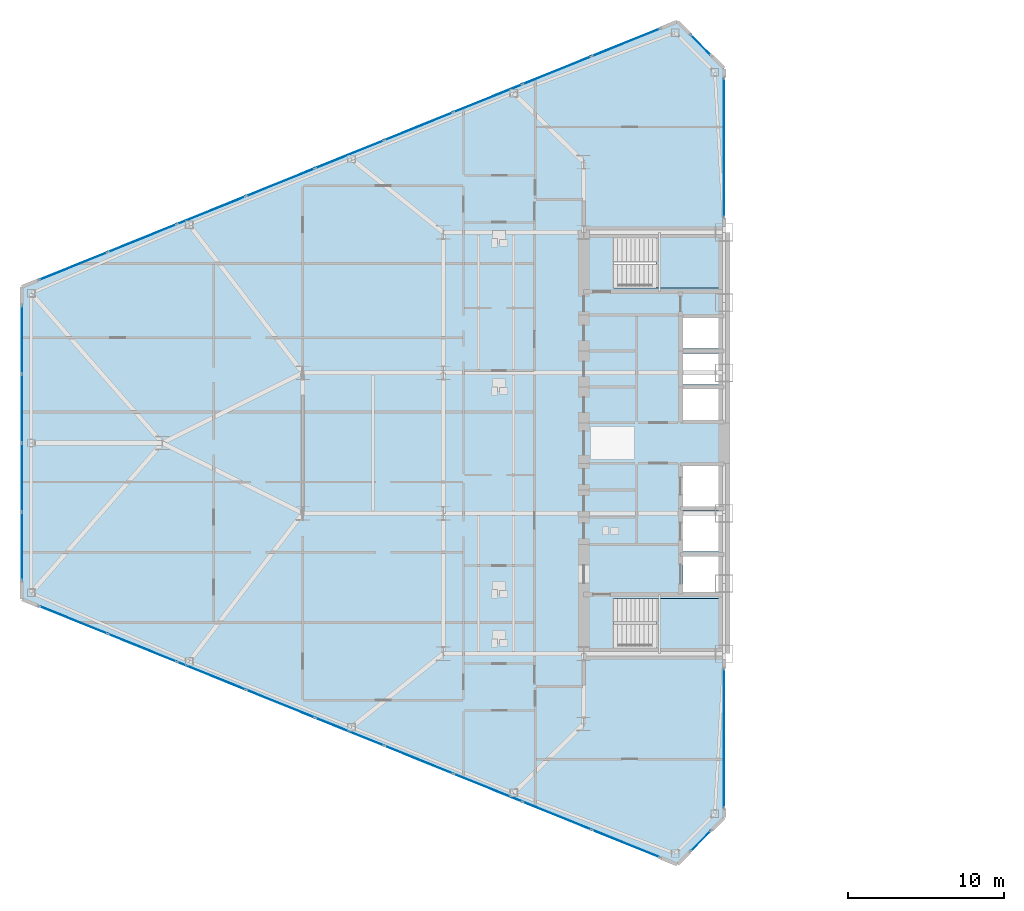
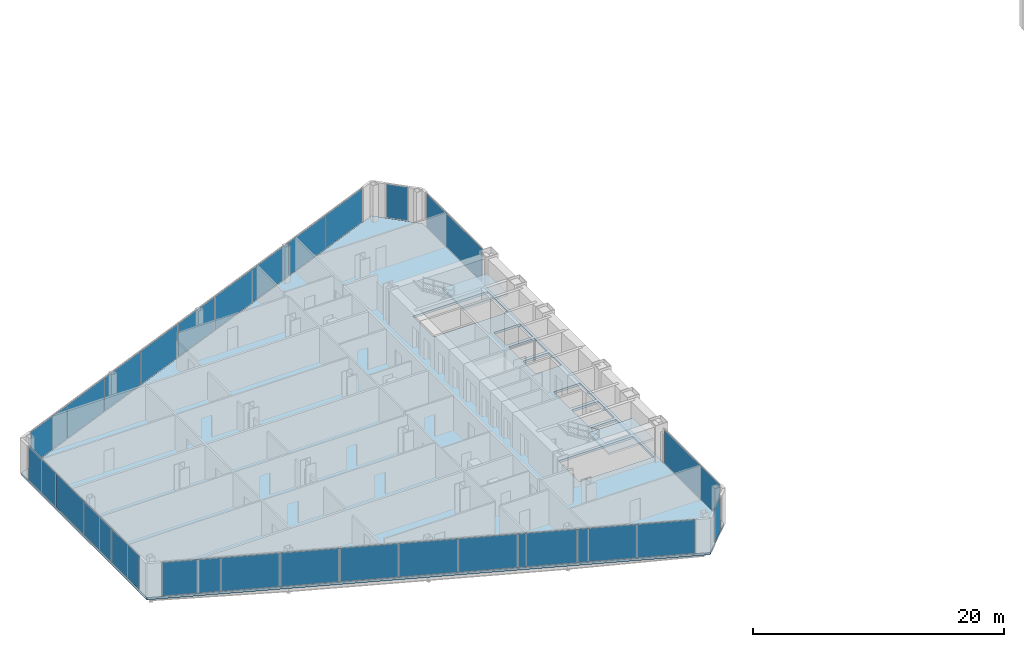
# One storey, part 15 of 25: 26 plates, 3 slabs, 9 elements without a shape of their own.
"""IFC4 building model written with IfcOpenShell, lengths in metres."""

from ifc_helpers import new_model, si_unit, direction, frame, origin, origin_2d, place, context, subcontext, project, spatial, polyline, rectangle, outline, extrude, source, transform, mapped, material, layer, layer_set, type_object, type_shapes, element, aggregate, save


model = new_model("IFC4")

# Units and contexts
model_context = context("Model", 3, precision=1e-05, world=origin(), true_north=direction((0.0, 1.0)))
body_context = subcontext(model_context, "Body", "Model", "MODEL_VIEW")
ifc_project = project(units=[si_unit("LENGTHUNIT", "METRE"), si_unit("AREAUNIT", "SQUARE_METRE"), si_unit("VOLUMEUNIT", "CUBIC_METRE"), si_unit("PLANEANGLEUNIT", "RADIAN"), si_unit("MASSUNIT", "GRAM", prefix="KILO")], contexts=[model_context])

# Site, building, storey
site_placement = place(None, origin())
site = spatial("IfcSite", under=ifc_project, at=site_placement, CompositionType="ELEMENT")
building_placement = place(site_placement, origin())
building = spatial("IfcBuilding", under=site, at=building_placement, Name="Seokmaru Belvedere", CompositionType="ELEMENT")
storey_placement = place(building_placement, frame((0.0, 0.0, 33.300048828125)))
storey = spatial("IfcBuildingStorey", under=building, at=storey_placement, Name="L08", CompositionType="ELEMENT", Elevation=33.300048828125)

# Stair, slab
ifc_material_1 = material(Name="Concrete C40 (40 MPa)", Category="concrete")
stair_type = type_object("IfcStairType", Name="Typical Tower Core Dog-Leg Stair 3600", PredefinedType="TWO_STRAIGHT_RUN_STAIR", material=ifc_material_1)
stair_1_placement = place(storey_placement, origin())
stair_1 = element("IfcStair", 1, at=stair_1_placement, inside=storey, type_object=stair_type, Name="L08 Special Escape Stair ST-W1", PredefinedType="TWO_STRAIGHT_RUN_STAIR")
ifc_layer_1 = layer(ifc_material_1, 0.199951171875)
ifc_layer_set_1 = layer_set([ifc_layer_1], Name="Concrete C40 (40 MPa)")
slab_type_1 = type_object("IfcSlabType", Name="Reinforced Concrete Stair Landing Slab 200", PredefinedType="LANDING", material=ifc_layer_set_1)
slab_1_placement = place(storey_placement, frame((0.0, 0.0, 1.599853515625)))
slab_1 = element("IfcSlab", 2, at=slab_1_placement, type_object=slab_type_1, Name="ST-W1 landing 1", PredefinedType="LANDING", context=body_context, shape_type="SweptSolid", body=[
    extrude(outline(polyline([(-31.8798828125, -13.239990234375), (-27.760009765625, -13.239990234375), (-27.760009765625, -9.949951171875), (-31.8798828125, -9.949951171875), (-31.8798828125, -13.239990234375)])), origin(), (0.0, 0.0, 1.0), 0.2001953125),
])
aggregate(stair_1, [slab_1])

stair_2_placement = place(storey_placement, origin())
stair_2 = element("IfcStair", 3, at=stair_2_placement, inside=storey, type_object=stair_type, Name="L08 Special Escape Stair ST-W2", PredefinedType="TWO_STRAIGHT_RUN_STAIR")
slab_2_placement = place(storey_placement, frame((0.0, 0.0, 1.599853515625)))
slab_2 = element("IfcSlab", 4, at=slab_2_placement, type_object=slab_type_1, Name="ST-W2 landing 1", PredefinedType="LANDING", context=body_context, shape_type="SweptSolid", body=[
    extrude(outline(polyline([(-31.8798828125, 9.949951171875), (-27.760009765625, 9.949951171875), (-27.760009765625, 13.239990234375), (-31.8798828125, 13.239990234375), (-31.8798828125, 9.949951171875)])), origin(), (0.0, 0.0, 1.0), 0.2001953125),
])
aggregate(stair_2, [slab_2])

# Slab
ifc_layer_2 = layer(ifc_material_1, 0.219970703125)
ifc_layer_set_2 = layer_set([ifc_layer_2], Name="Concrete C40 (40 MPa)")
slab_type_2 = type_object("IfcSlabType", Name="Typical Tower Composite Floor Slab 220", PredefinedType="FLOOR", material=ifc_layer_set_2)
slab_3_placement = place(storey_placement, frame((0.0, 0.0, -0.219970703125)))
element("IfcSlab", 5, at=slab_3_placement, inside=storey, type_object=slab_type_2, Name="L08 West Leg Floor Slab", PredefinedType="FLOOR", context=body_context, shape_type="SweptSolid", body=[
    extrude(outline(polyline([(-27.5, -24.0), (-27.5, 24.0), (-30.5, 27.0), (-72.5, 10.0), (-72.5, -10.0), (-30.5, -27.0), (-27.5, -24.0)]), holes=[polyline([(-34.60009765625, -13.25), (-27.75, -13.25), (-27.75, -9.949951171875), (-34.60009765625, -9.949951171875), (-34.60009765625, -13.25)]), polyline([(-34.60009765625, 9.949951171875), (-27.75, 9.949951171875), (-27.75, 13.25), (-34.60009765625, 13.25), (-34.60009765625, 9.949951171875)]), polyline([(-30.14990234375, -9.550048828125), (-27.75, -9.550048828125), (-27.75, -7.25), (-30.14990234375, -7.25), (-30.14990234375, -9.550048828125)]), polyline([(-30.14990234375, -6.949951171875), (-27.75, -6.949951171875), (-27.75, -4.35009765625), (-30.14990234375, -4.35009765625), (-30.14990234375, -6.949951171875)]), polyline([(-30.14990234375, -4.050048828125), (-27.75, -4.050048828125), (-27.75, -1.449951171875), (-30.14990234375, -1.449951171875), (-30.14990234375, -4.050048828125)]), polyline([(-30.14990234375, 1.449951171875), (-27.75, 1.449951171875), (-27.75, 3.449951171875), (-30.14990234375, 3.449951171875), (-30.14990234375, 1.449951171875)]), polyline([(-30.14990234375, 3.75), (-27.75, 3.75), (-27.75, 5.75), (-30.14990234375, 5.75), (-30.14990234375, 3.75)]), polyline([(-30.14990234375, 6.050048828125), (-27.75, 6.050048828125), (-27.75, 8.050048828125), (-30.14990234375, 8.050048828125), (-30.14990234375, 6.050048828125)])]), origin(), (0.0, 0.0, 1.0), 0.219970703125),
])

# Curtain wall, plate
ifc_material_2 = material(Name="Bronze Triple Insulating Glass", Category="glass")
ifc_layer_3 = layer(ifc_material_2, 0.2099609375)
ifc_layer_set_3 = layer_set([ifc_layer_3], Name="Bronze Triple Insulating Glass")
curtain_wall_type = type_object("IfcCurtainWallType", Name="Low-Rise Faceted Crystal Curtain Wall System CW-2", PredefinedType="NOTDEFINED", material=ifc_layer_set_3)
curtain_wall_1_placement = place(storey_placement, origin())
curtain_wall_1 = element("IfcCurtainWall", 6, at=curtain_wall_1_placement, inside=storey, type_object=curtain_wall_type, Name="L08 Curtain Wall WSP_1", PredefinedType="NOTDEFINED")
ifc_layer_4 = layer(ifc_material_2, 0.035888671875)
ifc_layer_set_4 = layer_set([ifc_layer_4], Name="Bronze Triple Insulating Glass")
plate_type = type_object("IfcPlateType", Name="Bronze Triple Vision Glazing Panel 36", PredefinedType="CURTAIN_PANEL", material=ifc_layer_set_4)
shared_shape_1 = source(origin(), body_context, "Body", "SweptSolid", [
    extrude(rectangle(XDim=8.85009765625, YDim=0.035888671875, at=origin_2d()), origin(), (0.0, 0.0, 1.0), 3.239990234375),
])
plate_1_placement = place(storey_placement, frame((-27.5, -18.929931640625, 0.06982421875), z_axis=(0.0, 0.0, 1.0), x_axis=(0.0, 1.0, 0.0)))
plate_1 = element("IfcPlate", 7, at=plate_1_placement, type_object=plate_type, Name="CW:L08:WSP_1 Glazing Panel 1-1", PredefinedType="CURTAIN_PANEL", context=body_context, shape_type="MappedRepresentation", body=[
    mapped(shared_shape_1, transform((0.0, 0.0, 0.0), scale=1.0)),
])
aggregate(curtain_wall_1, [plate_1])

curtain_wall_2_placement = place(storey_placement, origin())
curtain_wall_2 = element("IfcCurtainWall", 8, at=curtain_wall_2_placement, inside=storey, type_object=curtain_wall_type, Name="L08 Curtain Wall WSP_2", PredefinedType="NOTDEFINED")
plate_2_placement = place(storey_placement, frame((-27.5, 18.929931640625, 0.06982421875), z_axis=(0.0, 0.0, 1.0), x_axis=(0.0, 1.0, 0.0)))
plate_2 = element("IfcPlate", 9, at=plate_2_placement, type_object=plate_type, Name="CW:L08:WSP_2 Glazing Panel 1-1", PredefinedType="CURTAIN_PANEL", context=body_context, shape_type="MappedRepresentation", body=[
    mapped(shared_shape_1, transform((0.0, 0.0, 0.0), scale=1.0)),
])
aggregate(curtain_wall_2, [plate_2])

curtain_wall_3_placement = place(storey_placement, origin())
curtain_wall_3 = element("IfcCurtainWall", 10, at=curtain_wall_3_placement, inside=storey, type_object=curtain_wall_type, Name="L08 Curtain Wall WF2", PredefinedType="NOTDEFINED")
shared_shape_2 = source(origin(), body_context, "Body", "SweptSolid", [
    extrude(rectangle(XDim=1.79248046875, YDim=0.035888671875, at=origin_2d()), origin(), (0.0, 0.0, 1.0), 3.239990234375),
])
plate_3_placement = place(storey_placement, frame((-29.0, 25.5, 0.06982421875), z_axis=(0.0, 0.0, 1.0), x_axis=(-0.707106781187, 0.707106781187, 0.0)))
plate_3 = element("IfcPlate", 11, at=plate_3_placement, type_object=plate_type, Name="CW:L08:WF2 Glazing Panel 1-1", PredefinedType="CURTAIN_PANEL", context=body_context, shape_type="MappedRepresentation", body=[
    mapped(shared_shape_2, transform((0.0, 0.0, 0.0), scale=1.0)),
])
aggregate(curtain_wall_3, [plate_3])

curtain_wall_4_placement = place(storey_placement, origin())
curtain_wall_4 = element("IfcCurtainWall", 12, at=curtain_wall_4_placement, inside=storey, type_object=curtain_wall_type, Name="L08 Curtain Wall WF6", PredefinedType="NOTDEFINED")
plate_4_placement = place(storey_placement, frame((-29.0, -25.5, 0.06982421875), z_axis=(0.0, 0.0, 1.0), x_axis=(0.707106781187, 0.707106781187, 0.0)))
plate_4 = element("IfcPlate", 13, at=plate_4_placement, type_object=plate_type, Name="CW:L08:WF6 Glazing Panel 1-1", PredefinedType="CURTAIN_PANEL", context=body_context, shape_type="MappedRepresentation", body=[
    mapped(shared_shape_2, transform((0.0, 0.0, 0.0), scale=1.0)),
])
aggregate(curtain_wall_4, [plate_4])

# Curtain wall, plates
curtain_wall_5_placement = place(storey_placement, origin())
curtain_wall_5 = element("IfcCurtainWall", 14, at=curtain_wall_5_placement, inside=storey, type_object=curtain_wall_type, Name="L08 Curtain Wall WF3", PredefinedType="NOTDEFINED")
shared_shape_3 = source(origin(), body_context, "Body", "SweptSolid", [
    extrude(rectangle(XDim=4.66650390625, YDim=0.035888671875, at=origin_2d()), origin(), (0.0, 0.0, 1.0), 3.239990234375),
])
plate_5_placement = place(storey_placement, frame((-33.79833984375, 25.6650390625, 0.06982421875), z_axis=(0.0, 0.0, 1.0), x_axis=(-0.926946989637, -0.375192321888, 0.0)))
plate_5 = element("IfcPlate", 15, at=plate_5_placement, type_object=plate_type, Name="CW:L08:WF3 Glazing Panel 1-1", PredefinedType="CURTAIN_PANEL", context=body_context, shape_type="MappedRepresentation", body=[
    mapped(shared_shape_3, transform((0.0, 0.0, 0.0), scale=1.0)),
])
plate_6_placement = place(storey_placement, frame((-69.20166015625, 11.3349609375, 0.06982421875), z_axis=(0.0, 0.0, 1.0), x_axis=(-0.926946989637, -0.375192321888, 0.0)))
plate_6 = element("IfcPlate", 16, at=plate_6_placement, type_object=plate_type, Name="CW:L08:WF3 Glazing Panel 9-1", PredefinedType="CURTAIN_PANEL", context=body_context, shape_type="MappedRepresentation", body=[
    mapped(shared_shape_3, transform((0.0, 0.0, 0.0), scale=1.0)),
])

curtain_wall_6_placement = place(storey_placement, origin())
curtain_wall_6 = element("IfcCurtainWall", 17, at=curtain_wall_6_placement, inside=storey, type_object=curtain_wall_type, Name="L08 Curtain Wall WF5", PredefinedType="NOTDEFINED")
plate_7_placement = place(storey_placement, frame((-69.20166015625, -11.3349609375, 0.06982421875), z_axis=(0.0, 0.0, 1.0), x_axis=(0.926946989637, -0.375192321888, 0.0)))
plate_7 = element("IfcPlate", 18, at=plate_7_placement, type_object=plate_type, Name="CW:L08:WF5 Glazing Panel 1-1", PredefinedType="CURTAIN_PANEL", context=body_context, shape_type="MappedRepresentation", body=[
    mapped(shared_shape_3, transform((0.0, 0.0, 0.0), scale=1.0)),
])
plate_8_placement = place(storey_placement, frame((-33.79833984375, -25.6650390625, 0.06982421875), z_axis=(0.0, 0.0, 1.0), x_axis=(0.926946989637, -0.375192321888, 0.0)))
plate_8 = element("IfcPlate", 19, at=plate_8_placement, type_object=plate_type, Name="CW:L08:WF5 Glazing Panel 9-1", PredefinedType="CURTAIN_PANEL", context=body_context, shape_type="MappedRepresentation", body=[
    mapped(shared_shape_3, transform((0.0, 0.0, 0.0), scale=1.0)),
])

# Plate
shared_shape_4 = source(origin(), body_context, "Body", "SweptSolid", [
    extrude(rectangle(XDim=4.703857421875, YDim=0.035888671875, at=origin_2d()), origin(), (0.0, 0.0, 1.0), 3.239990234375),
])
plate_9_placement = place(storey_placement, frame((-38.210693359375, 23.87890625, 0.06982421875), z_axis=(0.0, 0.0, 1.0), x_axis=(-0.926946989637, -0.375192321888, 0.0)))
plate_9 = element("IfcPlate", 20, at=plate_9_placement, type_object=plate_type, Name="CW:L08:WF3 Glazing Panel 2-1", PredefinedType="CURTAIN_PANEL", context=body_context, shape_type="MappedRepresentation", body=[
    mapped(shared_shape_4, transform((0.0, 0.0, 0.0), scale=1.0)),
])

plate_10_placement = place(storey_placement, frame((-42.640380859375, 22.0859375, 0.06982421875), z_axis=(0.0, 0.0, 1.0), x_axis=(-0.926946989637, -0.375192321888, 0.0)))
plate_10 = element("IfcPlate", 21, at=plate_10_placement, type_object=plate_type, Name="CW:L08:WF3 Glazing Panel 3-1", PredefinedType="CURTAIN_PANEL", context=body_context, shape_type="MappedRepresentation", body=[
    mapped(shared_shape_4, transform((0.0, 0.0, 0.0), scale=1.0)),
])

plate_11_placement = place(storey_placement, frame((-47.0703125, 20.29296875, 0.06982421875), z_axis=(0.0, 0.0, 1.0), x_axis=(-0.926946989637, -0.375192321888, 0.0)))
plate_11 = element("IfcPlate", 22, at=plate_11_placement, type_object=plate_type, Name="CW:L08:WF3 Glazing Panel 4-1", PredefinedType="CURTAIN_PANEL", context=body_context, shape_type="MappedRepresentation", body=[
    mapped(shared_shape_4, transform((0.0, 0.0, 0.0), scale=1.0)),
])

plate_12_placement = place(storey_placement, frame((-51.5, 18.5, 0.06982421875), z_axis=(0.0, 0.0, 1.0), x_axis=(-0.926946989637, -0.375192321888, 0.0)))
plate_12 = element("IfcPlate", 23, at=plate_12_placement, type_object=plate_type, Name="CW:L08:WF3 Glazing Panel 5-1", PredefinedType="CURTAIN_PANEL", context=body_context, shape_type="MappedRepresentation", body=[
    mapped(shared_shape_4, transform((0.0, 0.0, 0.0), scale=1.0)),
])

plate_13_placement = place(storey_placement, frame((-55.9296875, 16.70703125, 0.06982421875), z_axis=(0.0, 0.0, 1.0), x_axis=(-0.926946989637, -0.375192321888, 0.0)))
plate_13 = element("IfcPlate", 24, at=plate_13_placement, type_object=plate_type, Name="CW:L08:WF3 Glazing Panel 6-1", PredefinedType="CURTAIN_PANEL", context=body_context, shape_type="MappedRepresentation", body=[
    mapped(shared_shape_4, transform((0.0, 0.0, 0.0), scale=1.0)),
])

plate_14_placement = place(storey_placement, frame((-60.359619140625, 14.9140625, 0.06982421875), z_axis=(0.0, 0.0, 1.0), x_axis=(-0.926946989637, -0.375192321888, 0.0)))
plate_14 = element("IfcPlate", 25, at=plate_14_placement, type_object=plate_type, Name="CW:L08:WF3 Glazing Panel 7-1", PredefinedType="CURTAIN_PANEL", context=body_context, shape_type="MappedRepresentation", body=[
    mapped(shared_shape_4, transform((0.0, 0.0, 0.0), scale=1.0)),
])

plate_15_placement = place(storey_placement, frame((-64.789306640625, 13.12109375, 0.06982421875), z_axis=(0.0, 0.0, 1.0), x_axis=(-0.926946989637, -0.375192321888, 0.0)))
plate_15 = element("IfcPlate", 26, at=plate_15_placement, type_object=plate_type, Name="CW:L08:WF3 Glazing Panel 8-1", PredefinedType="CURTAIN_PANEL", context=body_context, shape_type="MappedRepresentation", body=[
    mapped(shared_shape_4, transform((0.0, 0.0, 0.0), scale=1.0)),
])

aggregate(curtain_wall_5, [plate_5, plate_9, plate_10, plate_11, plate_12, plate_13, plate_14, plate_15, plate_6])

plate_16_placement = place(storey_placement, frame((-64.789306640625, -13.12109375, 0.06982421875), z_axis=(0.0, 0.0, 1.0), x_axis=(0.926946989637, -0.375192321888, 0.0)))
plate_16 = element("IfcPlate", 27, at=plate_16_placement, type_object=plate_type, Name="CW:L08:WF5 Glazing Panel 2-1", PredefinedType="CURTAIN_PANEL", context=body_context, shape_type="MappedRepresentation", body=[
    mapped(shared_shape_4, transform((0.0, 0.0, 0.0), scale=1.0)),
])

plate_17_placement = place(storey_placement, frame((-60.359619140625, -14.9140625, 0.06982421875), z_axis=(0.0, 0.0, 1.0), x_axis=(0.926946989637, -0.375192321888, 0.0)))
plate_17 = element("IfcPlate", 28, at=plate_17_placement, type_object=plate_type, Name="CW:L08:WF5 Glazing Panel 3-1", PredefinedType="CURTAIN_PANEL", context=body_context, shape_type="MappedRepresentation", body=[
    mapped(shared_shape_4, transform((0.0, 0.0, 0.0), scale=1.0)),
])

plate_18_placement = place(storey_placement, frame((-55.9296875, -16.70703125, 0.06982421875), z_axis=(0.0, 0.0, 1.0), x_axis=(0.926946989637, -0.375192321888, 0.0)))
plate_18 = element("IfcPlate", 29, at=plate_18_placement, type_object=plate_type, Name="CW:L08:WF5 Glazing Panel 4-1", PredefinedType="CURTAIN_PANEL", context=body_context, shape_type="MappedRepresentation", body=[
    mapped(shared_shape_4, transform((0.0, 0.0, 0.0), scale=1.0)),
])

plate_19_placement = place(storey_placement, frame((-51.5, -18.5, 0.06982421875), z_axis=(0.0, 0.0, 1.0), x_axis=(0.926946989637, -0.375192321888, 0.0)))
plate_19 = element("IfcPlate", 30, at=plate_19_placement, type_object=plate_type, Name="CW:L08:WF5 Glazing Panel 5-1", PredefinedType="CURTAIN_PANEL", context=body_context, shape_type="MappedRepresentation", body=[
    mapped(shared_shape_4, transform((0.0, 0.0, 0.0), scale=1.0)),
])

plate_20_placement = place(storey_placement, frame((-47.0703125, -20.29296875, 0.06982421875), z_axis=(0.0, 0.0, 1.0), x_axis=(0.926946989637, -0.375192321888, 0.0)))
plate_20 = element("IfcPlate", 31, at=plate_20_placement, type_object=plate_type, Name="CW:L08:WF5 Glazing Panel 6-1", PredefinedType="CURTAIN_PANEL", context=body_context, shape_type="MappedRepresentation", body=[
    mapped(shared_shape_4, transform((0.0, 0.0, 0.0), scale=1.0)),
])

plate_21_placement = place(storey_placement, frame((-42.640380859375, -22.0859375, 0.06982421875), z_axis=(0.0, 0.0, 1.0), x_axis=(0.926946989637, -0.375192321888, 0.0)))
plate_21 = element("IfcPlate", 32, at=plate_21_placement, type_object=plate_type, Name="CW:L08:WF5 Glazing Panel 7-1", PredefinedType="CURTAIN_PANEL", context=body_context, shape_type="MappedRepresentation", body=[
    mapped(shared_shape_4, transform((0.0, 0.0, 0.0), scale=1.0)),
])

plate_22_placement = place(storey_placement, frame((-38.210693359375, -23.87890625, 0.06982421875), z_axis=(0.0, 0.0, 1.0), x_axis=(0.926946989637, -0.375192321888, 0.0)))
plate_22 = element("IfcPlate", 33, at=plate_22_placement, type_object=plate_type, Name="CW:L08:WF5 Glazing Panel 8-1", PredefinedType="CURTAIN_PANEL", context=body_context, shape_type="MappedRepresentation", body=[
    mapped(shared_shape_4, transform((0.0, 0.0, 0.0), scale=1.0)),
])

aggregate(curtain_wall_6, [plate_7, plate_16, plate_17, plate_18, plate_19, plate_20, plate_21, plate_22, plate_8])

# Curtain wall, plates
curtain_wall_7_placement = place(storey_placement, origin())
curtain_wall_7 = element("IfcCurtainWall", 34, at=curtain_wall_7_placement, inside=storey, type_object=curtain_wall_type, Name="L08 Curtain Wall WF4", PredefinedType="NOTDEFINED")
shared_shape_5 = source(origin(), body_context, "Body", "SweptSolid", [
    extrude(rectangle(XDim=4.3125, YDim=0.035888671875, at=origin_2d()), origin(), (0.0, 0.0, 1.0), 3.239990234375),
])
plate_23_placement = place(storey_placement, frame((-72.5, 6.61865234375, 0.06982421875), z_axis=(0.0, 0.0, 1.0), x_axis=(0.0, -1.0, 0.0)))
plate_23 = element("IfcPlate", 35, at=plate_23_placement, type_object=plate_type, Name="CW:L08:WF4 Glazing Panel 1-1", PredefinedType="CURTAIN_PANEL", context=body_context, shape_type="MappedRepresentation", body=[
    mapped(shared_shape_5, transform((0.0, 0.0, 0.0), scale=1.0)),
])
plate_24_placement = place(storey_placement, frame((-72.5, -6.61865234375, 0.06982421875), z_axis=(0.0, 0.0, 1.0), x_axis=(0.0, -1.0, 0.0)))
plate_24 = element("IfcPlate", 36, at=plate_24_placement, type_object=plate_type, Name="CW:L08:WF4 Glazing Panel 4-1", PredefinedType="CURTAIN_PANEL", context=body_context, shape_type="MappedRepresentation", body=[
    mapped(shared_shape_5, transform((0.0, 0.0, 0.0), scale=1.0)),
])
shared_shape_6 = source(origin(), body_context, "Body", "SweptSolid", [
    extrude(rectangle(XDim=4.35009765625, YDim=0.035888671875, at=origin_2d()), origin(), (0.0, 0.0, 1.0), 3.239990234375),
])
type_shapes(plate_type, [shared_shape_1, shared_shape_2, shared_shape_3, shared_shape_4, shared_shape_5, shared_shape_6])
plate_25_placement = place(storey_placement, frame((-72.5, 2.21240234375, 0.06982421875), z_axis=(0.0, 0.0, 1.0), x_axis=(0.0, -1.0, 0.0)))
plate_25 = element("IfcPlate", 37, at=plate_25_placement, type_object=plate_type, Name="CW:L08:WF4 Glazing Panel 2-1", PredefinedType="CURTAIN_PANEL", context=body_context, shape_type="MappedRepresentation", body=[
    mapped(shared_shape_6, transform((0.0, 0.0, 0.0), scale=1.0)),
])
plate_26_placement = place(storey_placement, frame((-72.5, -2.21240234375, 0.06982421875), z_axis=(0.0, 0.0, 1.0), x_axis=(0.0, -1.0, 0.0)))
plate_26 = element("IfcPlate", 38, at=plate_26_placement, type_object=plate_type, Name="CW:L08:WF4 Glazing Panel 3-1", PredefinedType="CURTAIN_PANEL", context=body_context, shape_type="MappedRepresentation", body=[
    mapped(shared_shape_6, transform((0.0, 0.0, 0.0), scale=1.0)),
])
aggregate(curtain_wall_7, [plate_23, plate_25, plate_26, plate_24])

save(model, "model.ifc")
